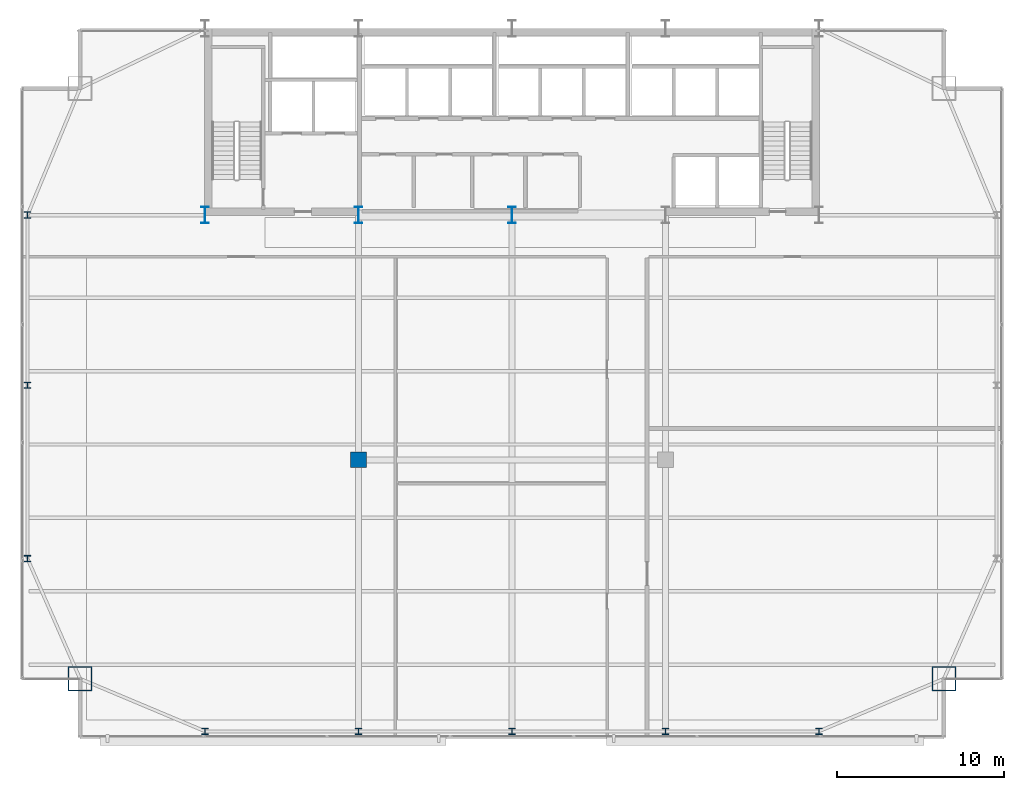
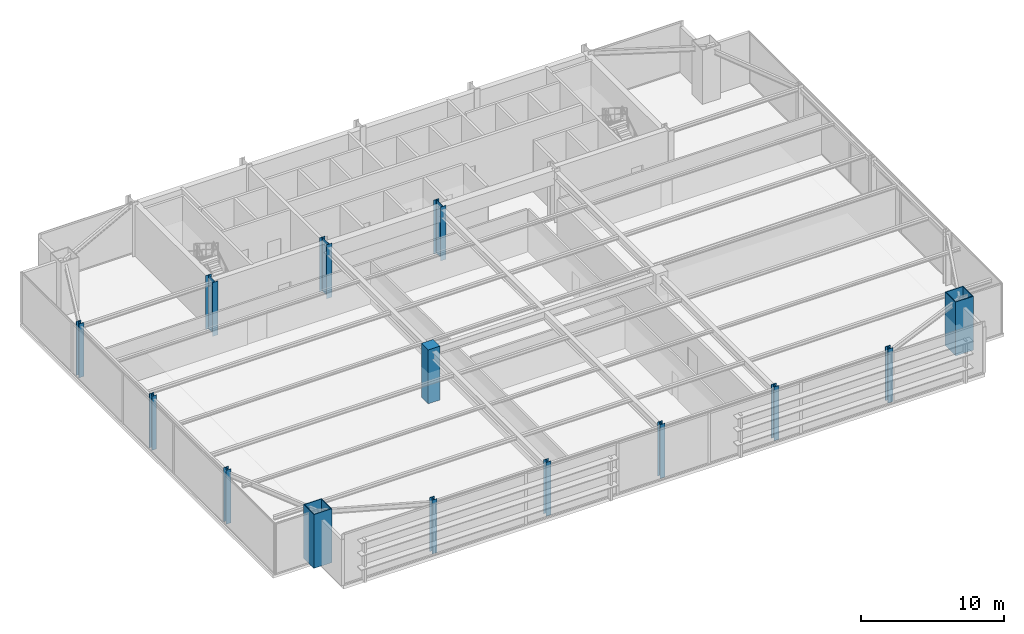
# One storey, part 1 of 32: 14 columns.
"""IFC4 building model written with IfcOpenShell, lengths in metres."""

from ifc_helpers import new_model, si_unit, direction, frame, origin, origin_2d, place, context, subcontext, project, spatial, rectangle, hollow_rectangle, i_section, extrude, source, transform, mapped, material, material_profile, profile_set, type_object, type_shapes, element, save


model = new_model("IFC4")

# Units and contexts
model_context = context("Model", 3, precision=1e-05, world=origin(), true_north=direction((0.0, 1.0)))
body_context = subcontext(model_context, "Body", "Model", "MODEL_VIEW")
ifc_project = project(units=[si_unit("LENGTHUNIT", "METRE"), si_unit("AREAUNIT", "SQUARE_METRE"), si_unit("VOLUMEUNIT", "CUBIC_METRE"), si_unit("PLANEANGLEUNIT", "RADIAN"), si_unit("MASSUNIT", "GRAM", prefix="KILO")], contexts=[model_context])

# Site, building, storey
site_placement = place(None, origin())
site = spatial("IfcSite", under=ifc_project, at=site_placement, CompositionType="ELEMENT")
building_placement = place(site_placement, origin())
building = spatial("IfcBuilding", under=site, at=building_placement, Name="Varnel Quay Broadcast Tower", CompositionType="ELEMENT")
storey_placement = place(building_placement, frame((0.0, 0.0, 98.39990234375)))
storey = spatial("IfcBuildingStorey", under=building, at=storey_placement, Name="L23", CompositionType="ELEMENT", Elevation=98.39990234375)

# Columns
ifc_material_1 = material(Name="Structural Steel CSA G40.21 350WT", Category="steel")
ifc_material_profile_1 = material_profile(ifc_material_1, i_section(OverallWidth=0.449951171875, OverallDepth=1.0, WebThickness=0.01611328125, FlangeThickness=0.030029296875, FilletRadius=0.01611328125, at=origin_2d()), Name="WWF1000X362")
ifc_profile_set_1 = profile_set([ifc_material_profile_1], Name="Structural Steel CSA G40.21 350WT")
column_type_1 = type_object("IfcColumnType", Name="Col_WWF1000X362", PredefinedType="COLUMN", material=ifc_profile_set_1)
shared_shape_1 = source(origin(), body_context, "Body", "SweptSolid", [
    extrude(i_section(OverallWidth=0.449951171875, OverallDepth=1.0, WebThickness=0.01611328125, FlangeThickness=0.030029296875, FilletRadius=0.01611328125, at=origin_2d()), origin(), (0.0, 0.0, 1.0), 4.60009765625),
])
type_shapes(column_type_1, [shared_shape_1])
for number, where, z_axis, x_axis, name in (
    (1, (15.60009765625, 35.60009765625, 0.0), (0.0, 0.0, 1.0), (1.0, 0.0, 0.0), "L23 Column CC-S1"),
    (2, (24.800048828125, 35.60009765625, 0.0), (0.0, 0.0, 1.0), (1.0, 0.0, 0.0), "L23 Column CC-S2"),
    (3, (34.0, 35.60009765625, 0.0), (0.0, 0.0, 1.0), (1.0, 0.0, 0.0), "L23 Column CC-S3"),
):
    element("IfcColumn", number, at=place(storey_placement, frame(where, z_axis=z_axis, x_axis=x_axis)), inside=storey, type_object=column_type_1, Name=name, PredefinedType="COLUMN", context=body_context, shape_type="MappedRepresentation", body=[
        mapped(shared_shape_1, transform((0.0, 0.0, 0.0), x_axis=(1.0, 0.0, 0.0), y_axis=(0.0, 1.0, 0.0), z_axis=(0.0, 0.0, 1.0), scale=1.0)),
    ])
ifc_material_profile_2 = material_profile(ifc_material_1, hollow_rectangle(XDim=1.449951171875, YDim=1.449951171875, WallThickness=0.054931640625, at=origin_2d()), Name="BOX1450X1450X55")
ifc_profile_set_2 = profile_set([ifc_material_profile_2], Name="Structural Steel CSA G40.21 350WT")
column_type_2 = type_object("IfcColumnType", Name="Col_BOX1450X1450X55", PredefinedType="COLUMN", material=ifc_profile_set_2)
shared_shape_2 = source(origin(), body_context, "Body", "SweptSolid", [
    extrude(hollow_rectangle(XDim=1.449951171875, YDim=1.449951171875, WallThickness=0.054931640625, at=origin_2d()), origin(), (0.0, 0.0, 1.0), 4.60009765625),
])
type_shapes(column_type_2, [shared_shape_2])
for number, where, z_axis, x_axis, name in (
    (4, (8.10009765625, 7.800048828125, 0.0), (0.0, 0.0, 1.0), (1.0, 0.0, 0.0), "L23 Column MC-SW"),
    (5, (59.89990234375, 7.800048828125, 0.0), (0.0, 0.0, 1.0), (1.0, 0.0, 0.0), "L23 Column MC-SE"),
):
    element("IfcColumn", number, at=place(storey_placement, frame(where, z_axis=z_axis, x_axis=x_axis)), inside=storey, type_object=column_type_2, Name=name, PredefinedType="COLUMN", context=body_context, shape_type="MappedRepresentation", body=[
        mapped(shared_shape_2, transform((0.0, 0.0, 0.0), x_axis=(1.0, 0.0, 0.0), y_axis=(0.0, 1.0, 0.0), z_axis=(0.0, 0.0, 1.0), scale=1.0)),
    ])
ifc_material_2 = material(Name="Structural Steel CSA G40.21 350W", Category="steel")
ifc_material_profile_3 = material_profile(ifc_material_2, i_section(OverallWidth=0.39794921875, OverallDepth=0.386962890625, WebThickness=0.02099609375, FlangeThickness=0.033203125, FilletRadius=0.01806640625, at=origin_2d()), Name="W360X262")
ifc_profile_set_3 = profile_set([ifc_material_profile_3], Name="Structural Steel CSA G40.21 350W")
column_type_3 = type_object("IfcColumnType", Name="Col_W360X262", PredefinedType="COLUMN", material=ifc_profile_set_3)
shared_shape_3 = source(origin(), body_context, "Body", "SweptSolid", [
    extrude(i_section(OverallWidth=0.39794921875, OverallDepth=0.386962890625, WebThickness=0.02099609375, FlangeThickness=0.033203125, FilletRadius=0.01806640625, at=origin_2d()), origin(), (0.0, 0.0, 1.0), 4.60009765625),
])
type_shapes(column_type_3, [shared_shape_3])
for number, where, z_axis, x_axis, name in (
    (6, (15.60009765625, 4.64990234375, 0.0), (0.0, 0.0, 1.0), (1.0, 0.0, 0.0), "L23 Column TC-S1"),
    (7, (24.800048828125, 4.64990234375, 0.0), (0.0, 0.0, 1.0), (1.0, 0.0, 0.0), "L23 Column TC-S2"),
    (8, (34.0, 4.64990234375, 0.0), (0.0, 0.0, 1.0), (1.0, 0.0, 0.0), "L23 Column TC-S3"),
    (9, (43.199951171875, 4.64990234375, 0.0), (0.0, 0.0, 1.0), (1.0, 0.0, 0.0), "L23 Column TC-S4"),
    (10, (52.39990234375, 4.64990234375, 0.0), (0.0, 0.0, 1.0), (1.0, 0.0, 0.0), "L23 Column TC-S5"),
    (11, (4.949951171875, 15.0, 0.0), (0.0, 0.0, 1.0), (1.0, 0.0, 0.0), "L23 Column TC-W1"),
    (12, (4.949951171875, 25.39990234375, 0.0), (0.0, 0.0, 1.0), (1.0, 0.0, 0.0), "L23 Column TC-W2"),
    (13, (4.949951171875, 35.60009765625, 0.0), (0.0, 0.0, 1.0), (1.0, 0.0, 0.0), "L23 Column TC-W3"),
):
    element("IfcColumn", number, at=place(storey_placement, frame(where, z_axis=z_axis, x_axis=x_axis)), inside=storey, type_object=column_type_3, Name=name, PredefinedType="COLUMN", context=body_context, shape_type="MappedRepresentation", body=[
        mapped(shared_shape_3, transform((0.0, 0.0, 0.0), x_axis=(1.0, 0.0, 0.0), y_axis=(0.0, 1.0, 0.0), z_axis=(0.0, 0.0, 1.0), scale=1.0)),
    ])
ifc_material_3 = material(Name="Concrete CSA A23.3 C50/60", Category="concrete")
ifc_material_profile_4 = material_profile(ifc_material_3, rectangle(XDim=0.949951171875, YDim=0.949951171875, at=origin_2d()), Name="RC950X950")
ifc_profile_set_4 = profile_set([ifc_material_profile_4], Name="Concrete CSA A23.3 C50/60")
column_type_4 = type_object("IfcColumnType", Name="Col_RC950X950", PredefinedType="COLUMN", material=ifc_profile_set_4)
shared_shape_4 = source(origin(), body_context, "Body", "SweptSolid", [
    extrude(rectangle(XDim=0.949951171875, YDim=0.949951171875, at=origin_2d()), origin(), (0.0, 0.0, 1.0), 4.60009765625),
])
type_shapes(column_type_4, [shared_shape_4])
column_placement = place(storey_placement, frame((24.800048828125, 20.929931640625, 0.0), z_axis=(0.0, 0.0, 1.0), x_axis=(1.0, 0.0, 0.0)))
element("IfcColumn", 14, at=column_placement, inside=storey, type_object=column_type_4, Name="L23 Column IC-01", PredefinedType="COLUMN", context=body_context, shape_type="MappedRepresentation", body=[
    mapped(shared_shape_4, transform((0.0, 0.0, 0.0), x_axis=(1.0, 0.0, 0.0), y_axis=(0.0, 1.0, 0.0), z_axis=(0.0, 0.0, 1.0), scale=1.0)),
])

save(model, "model.ifc")
